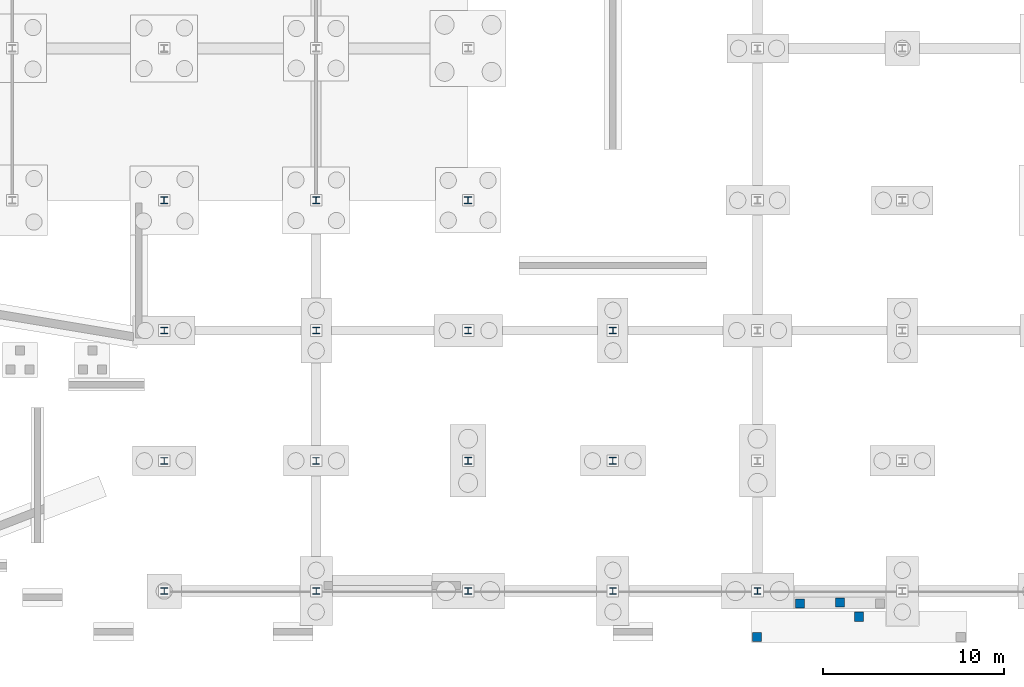
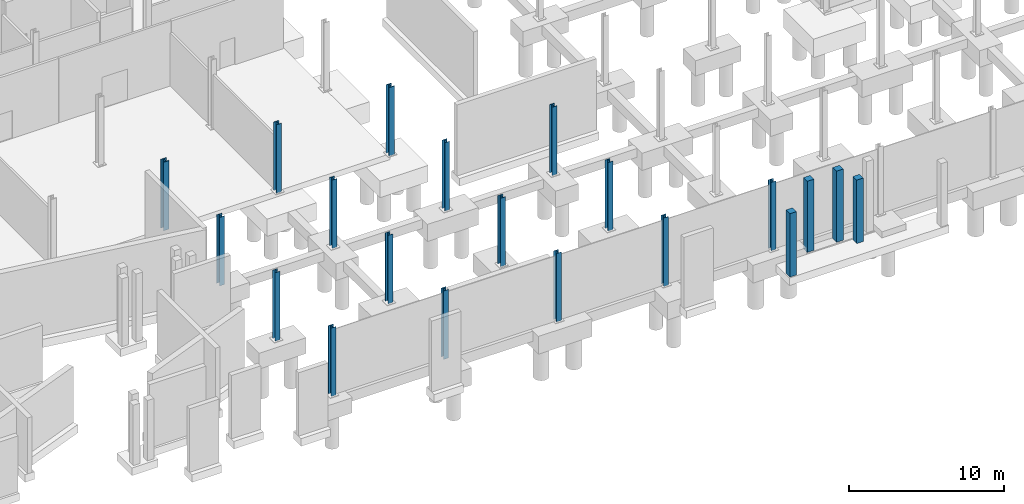
# One storey, part 18 of 61: 20 columns.
"""IFC4 building model written with IfcOpenShell, lengths in metres."""

from ifc_helpers import new_model, si_unit, direction, frame, origin, origin_2d, place, context, subcontext, project, spatial, rectangle, i_section, extrude, material, material_profile, profile_set, type_object, element, save


model = new_model("IFC4")

# Units and contexts
model_context = context("Model", 3, precision=1e-05, world=origin(), true_north=direction((0.0, 1.0)))
body_context = subcontext(model_context, "Body", "Model", "MODEL_VIEW")
ifc_project = project(units=[si_unit("LENGTHUNIT", "METRE"), si_unit("AREAUNIT", "SQUARE_METRE"), si_unit("VOLUMEUNIT", "CUBIC_METRE"), si_unit("PLANEANGLEUNIT", "RADIAN"), si_unit("MASSUNIT", "GRAM", prefix="KILO")], contexts=[model_context])

# Site, building, storey
site_placement = place(None, origin())
site = spatial("IfcSite", under=ifc_project, at=site_placement, CompositionType="ELEMENT")
building_placement = place(site_placement, origin())
building = spatial("IfcBuilding", under=site, at=building_placement, Name="Calvrana Isthmian Art Gallery", CompositionType="ELEMENT")
storey_placement = place(building_placement, frame((0.0, 0.0, -5.39990234375)))
storey = spatial("IfcBuildingStorey", under=building, at=storey_placement, Name="B1", CompositionType="ELEMENT", Elevation=-5.39990234375)

# Columns
ifc_material_1 = material(Name="Concrete C40/50", Category="concrete")
ifc_material_profile_1 = material_profile(ifc_material_1, rectangle(XDim=0.5, YDim=0.5, at=origin_2d()), Name="RC500X500")
ifc_profile_set_1 = profile_set([ifc_material_profile_1], Name="Concrete C40/50")
column_type_1 = type_object("IfcColumnType", Name="COL-RC-RC500X500", PredefinedType="COLUMN", material=ifc_profile_set_1)
for number, where, z_axis, x_axis, name in (
    (1, (98.739990234375, -0.679931640625, -0.4501953125), (0.0, 0.0, 1.0), (1.0, 0.0, 0.0), "Apron pedestal SLB_APR_SE_INNER-A"),
    (2, (100.949951171875, -0.639892578125, -0.4501953125), (0.0, 0.0, 1.0), (1.0, 0.0, 0.0), "Apron pedestal SLB_APR_SE_INNER-C"),
):
    element("IfcColumn", number, at=place(storey_placement, frame(where, z_axis=z_axis, x_axis=x_axis)), inside=storey, type_object=column_type_1, Name=name, PredefinedType="COLUMN", context=body_context, shape_type="SweptSolid", body=[
        extrude(rectangle(XDim=0.5, YDim=0.5, at=origin_2d()), origin(), (0.0, 0.0, 1.0), 5.60009765625),
    ])
for number, where, z_axis, x_axis, name in (
    (3, (96.3701171875, -2.530029296875, -0.4501953125), (0.0, 0.0, 1.0), (1.0, 0.0, 0.0), "Apron pedestal SLB_APR_SE_BENCH-A"),
    (4, (102.0, -1.419921875, -0.4501953125), (0.0, 0.0, 1.0), (1.0, 0.0, 0.0), "Apron pedestal SLB_APR_SE_BENCH-C"),
):
    element("IfcColumn", number, at=place(storey_placement, frame(where, z_axis=z_axis, x_axis=x_axis)), inside=storey, type_object=column_type_1, Name=name, PredefinedType="COLUMN", context=body_context, shape_type="SweptSolid", body=[
        extrude(rectangle(XDim=0.5, YDim=0.5, at=origin_2d()), origin(), (0.0, 0.0, 1.0), 5.0),
    ])
ifc_material_2 = material(Name="Steel ASTM A992 Gr 50", Category="steel")
ifc_material_profile_2 = material_profile(ifc_material_2, i_section(OverallWidth=0.37109375, OverallDepth=0.363037109375, WebThickness=0.01318359375, FlangeThickness=0.021728515625, FilletRadius=0.02490234375, at=origin_2d()), Name="W14X109")
ifc_profile_set_2 = profile_set([ifc_material_profile_2], Name="Steel ASTM A992 Gr 50")
column_type_2 = type_object("IfcColumnType", Name="COL-STL-W14X109", PredefinedType="COLUMN", material=ifc_profile_set_2)
for number, where, z_axis, x_axis, name in (
    (5, (63.60009765625, 7.199951171875, 0.0), (0.0, 0.0, 1.0), (1.0, 0.0, 0.0), "Column 09/B B1"),
    (6, (72.0, 14.39990234375, 0.0), (0.0, 0.0, 1.0), (1.0, 0.0, 0.0), "Column 10/C B1"),
    (7, (88.39990234375, 0.0, 0.0), (0.0, 0.0, 1.0), (1.0, 0.0, 0.0), "Column 12/A B1"),
):
    element("IfcColumn", number, at=place(storey_placement, frame(where, z_axis=z_axis, x_axis=x_axis)), inside=storey, type_object=column_type_2, Name=name, PredefinedType="COLUMN", context=body_context, shape_type="SweptSolid", body=[
        extrude(i_section(OverallWidth=0.37109375, OverallDepth=0.363037109375, WebThickness=0.01318359375, FlangeThickness=0.021728515625, FilletRadius=0.02490234375, at=origin_2d()), origin(), (0.0, 0.0, 1.0), 5.39990234375),
    ])
ifc_material_profile_3 = material_profile(ifc_material_2, i_section(OverallWidth=0.373046875, OverallDepth=0.367919921875, WebThickness=0.014892578125, FlangeThickness=0.02392578125, FilletRadius=0.02490234375, at=origin_2d()), Name="W14X120")
ifc_profile_set_3 = profile_set([ifc_material_profile_3], Name="Steel ASTM A992 Gr 50")
column_type_3 = type_object("IfcColumnType", Name="COL-STL-W14X120", PredefinedType="COLUMN", material=ifc_profile_set_3)
for number, where, z_axis, x_axis, name in (
    (8, (63.60009765625, 14.39990234375, 0.0), (0.0, 0.0, 1.0), (1.0, 0.0, 0.0), "Column 09/C B1"),
    (9, (80.39990234375, 0.0, 0.0), (0.0, 0.0, 1.0), (1.0, 0.0, 0.0), "Column 11/A B1"),
    (10, (88.39990234375, 7.199951171875, 0.0), (0.0, 0.0, 1.0), (1.0, 0.0, 0.0), "Column 12/B B1"),
):
    element("IfcColumn", number, at=place(storey_placement, frame(where, z_axis=z_axis, x_axis=x_axis)), inside=storey, type_object=column_type_3, Name=name, PredefinedType="COLUMN", context=body_context, shape_type="SweptSolid", body=[
        extrude(i_section(OverallWidth=0.373046875, OverallDepth=0.367919921875, WebThickness=0.014892578125, FlangeThickness=0.02392578125, FilletRadius=0.02490234375, at=origin_2d()), origin(), (0.0, 0.0, 1.0), 5.39990234375),
    ])
ifc_material_profile_4 = material_profile(ifc_material_2, i_section(OverallWidth=0.373046875, OverallDepth=0.373046875, WebThickness=0.016357421875, FlangeThickness=0.026123046875, FilletRadius=0.02490234375, at=origin_2d()), Name="W14X132")
ifc_profile_set_4 = profile_set([ifc_material_profile_4], Name="Steel ASTM A992 Gr 50")
column_type_4 = type_object("IfcColumnType", Name="COL-STL-W14X132", PredefinedType="COLUMN", material=ifc_profile_set_4)
for number, where, z_axis, x_axis, name in (
    (11, (72.0, 0.0, 0.0), (0.0, 0.0, 1.0), (1.0, 0.0, 0.0), "Column 10/A B1"),
    (12, (80.39990234375, 7.199951171875, 0.0), (0.0, 0.0, 1.0), (1.0, 0.0, 0.0), "Column 11/B B1"),
    (13, (88.39990234375, 14.39990234375, 0.0), (0.0, 0.0, 1.0), (1.0, 0.0, 0.0), "Column 12/C B1"),
):
    element("IfcColumn", number, at=place(storey_placement, frame(where, z_axis=z_axis, x_axis=x_axis)), inside=storey, type_object=column_type_4, Name=name, PredefinedType="COLUMN", context=body_context, shape_type="SweptSolid", body=[
        extrude(i_section(OverallWidth=0.373046875, OverallDepth=0.373046875, WebThickness=0.016357421875, FlangeThickness=0.026123046875, FilletRadius=0.02490234375, at=origin_2d()), origin(), (0.0, 0.0, 1.0), 5.39990234375),
    ])
ifc_material_profile_5 = material_profile(ifc_material_2, i_section(OverallWidth=0.39892578125, OverallDepth=0.385986328125, WebThickness=0.02099609375, FlangeThickness=0.033203125, FilletRadius=0.02490234375, at=origin_2d()), Name="W14X176")
ifc_profile_set_5 = profile_set([ifc_material_profile_5], Name="Steel ASTM A992 Gr 50")
column_type_5 = type_object("IfcColumnType", Name="COL-STL-W14X176", PredefinedType="COLUMN", material=ifc_profile_set_5)
column_1_placement = place(storey_placement, frame((72.0, 21.60009765625, 0.0), z_axis=(0.0, 0.0, 1.0), x_axis=(1.0, 0.0, 0.0)))
element("IfcColumn", 14, at=column_1_placement, inside=storey, type_object=column_type_5, Name="Column 10/D B1", PredefinedType="COLUMN", context=body_context, shape_type="SweptSolid", body=[
    extrude(i_section(OverallWidth=0.39892578125, OverallDepth=0.385986328125, WebThickness=0.02099609375, FlangeThickness=0.033203125, FilletRadius=0.02490234375, at=origin_2d()), origin(), (0.0, 0.0, 1.0), 5.39990234375),
])
ifc_material_profile_6 = material_profile(ifc_material_2, i_section(OverallWidth=0.40087890625, OverallDepth=0.39892578125, WebThickness=0.02490234375, FlangeThickness=0.03955078125, FilletRadius=0.02490234375, at=origin_2d()), Name="W14X211")
ifc_profile_set_6 = profile_set([ifc_material_profile_6], Name="Steel ASTM A992 Gr 50")
column_type_6 = type_object("IfcColumnType", Name="COL-STL-W14X211", PredefinedType="COLUMN", material=ifc_profile_set_6)
column_2_placement = place(storey_placement, frame((63.60009765625, 21.60009765625, 0.0), z_axis=(0.0, 0.0, 1.0), x_axis=(1.0, 0.0, 0.0)))
element("IfcColumn", 15, at=column_2_placement, inside=storey, type_object=column_type_6, Name="Column 09/D B1", PredefinedType="COLUMN", context=body_context, shape_type="SweptSolid", body=[
    extrude(i_section(OverallWidth=0.40087890625, OverallDepth=0.39892578125, WebThickness=0.02490234375, FlangeThickness=0.03955078125, FilletRadius=0.02490234375, at=origin_2d()), origin(), (0.0, 0.0, 1.0), 5.39990234375),
])
ifc_material_profile_7 = material_profile(ifc_material_2, i_section(OverallWidth=0.404052734375, OverallDepth=0.406005859375, WebThickness=0.027099609375, FlangeThickness=0.043701171875, FilletRadius=0.02490234375, at=origin_2d()), Name="W14X233")
ifc_profile_set_7 = profile_set([ifc_material_profile_7], Name="Steel ASTM A992 Gr 50")
column_type_7 = type_object("IfcColumnType", Name="COL-STL-W14X233", PredefinedType="COLUMN", material=ifc_profile_set_7)
column_3_placement = place(storey_placement, frame((80.39990234375, 21.60009765625, 0.0), z_axis=(0.0, 0.0, 1.0), x_axis=(1.0, 0.0, 0.0)))
element("IfcColumn", 16, at=column_3_placement, inside=storey, type_object=column_type_7, Name="Column 11/D B1", PredefinedType="COLUMN", context=body_context, shape_type="SweptSolid", body=[
    extrude(i_section(OverallWidth=0.404052734375, OverallDepth=0.406005859375, WebThickness=0.027099609375, FlangeThickness=0.043701171875, FilletRadius=0.02490234375, at=origin_2d()), origin(), (0.0, 0.0, 1.0), 5.39990234375),
])
ifc_material_profile_8 = material_profile(ifc_material_2, i_section(OverallWidth=0.367919921875, OverallDepth=0.35595703125, WebThickness=0.01123046875, FlangeThickness=0.01806640625, FilletRadius=0.02490234375, at=origin_2d()), Name="W14X90")
ifc_profile_set_8 = profile_set([ifc_material_profile_8], Name="Steel ASTM A992 Gr 50")
column_type_8 = type_object("IfcColumnType", Name="COL-STL-W14X90", PredefinedType="COLUMN", material=ifc_profile_set_8)
for number, where, z_axis, x_axis, name in (
    (17, (63.60009765625, 0.0, 0.0), (0.0, 0.0, 1.0), (1.0, 0.0, 0.0), "Column 09/A B1"),
    (18, (72.0, 7.199951171875, 0.0), (0.0, 0.0, 1.0), (1.0, 0.0, 0.0), "Column 10/B B1"),
    (19, (80.39990234375, 14.39990234375, 0.0), (0.0, 0.0, 1.0), (1.0, 0.0, 0.0), "Column 11/C B1"),
    (20, (96.39990234375, 0.0, 0.0), (0.0, 0.0, 1.0), (1.0, 0.0, 0.0), "Column 13/A B1"),
):
    element("IfcColumn", number, at=place(storey_placement, frame(where, z_axis=z_axis, x_axis=x_axis)), inside=storey, type_object=column_type_8, Name=name, PredefinedType="COLUMN", context=body_context, shape_type="SweptSolid", body=[
        extrude(i_section(OverallWidth=0.367919921875, OverallDepth=0.35595703125, WebThickness=0.01123046875, FlangeThickness=0.01806640625, FilletRadius=0.02490234375, at=origin_2d()), origin(), (0.0, 0.0, 1.0), 5.39990234375),
    ])

save(model, "model.ifc")
